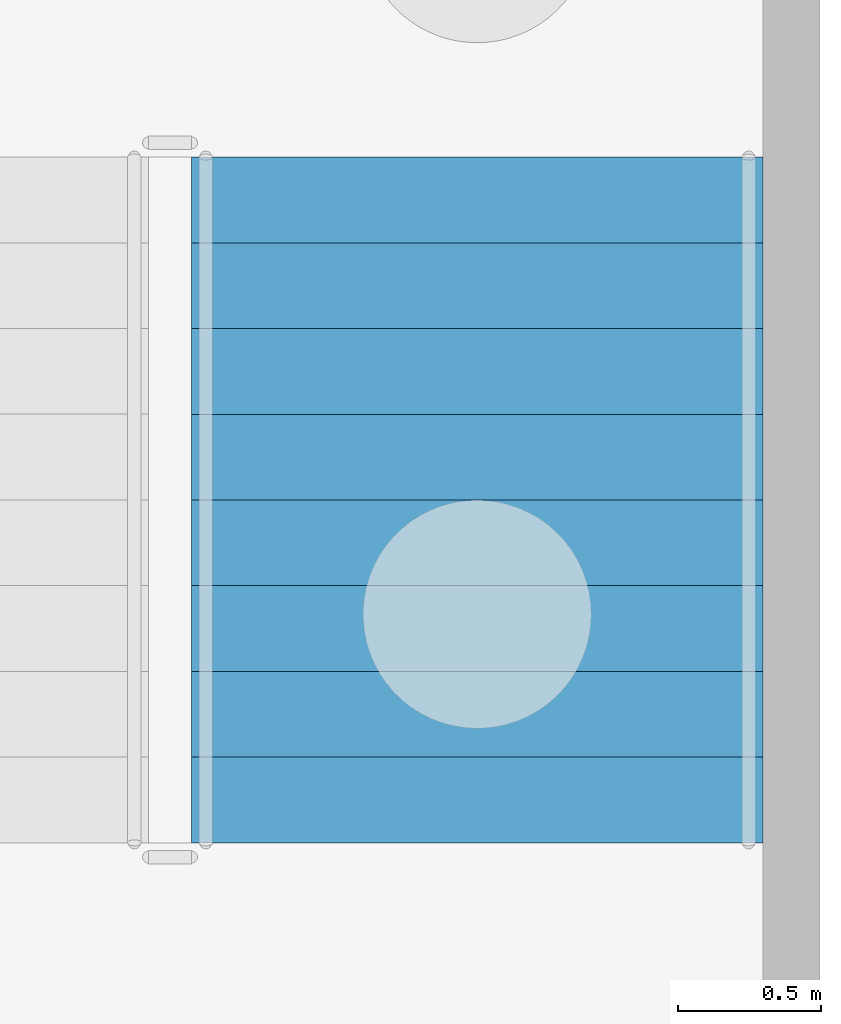
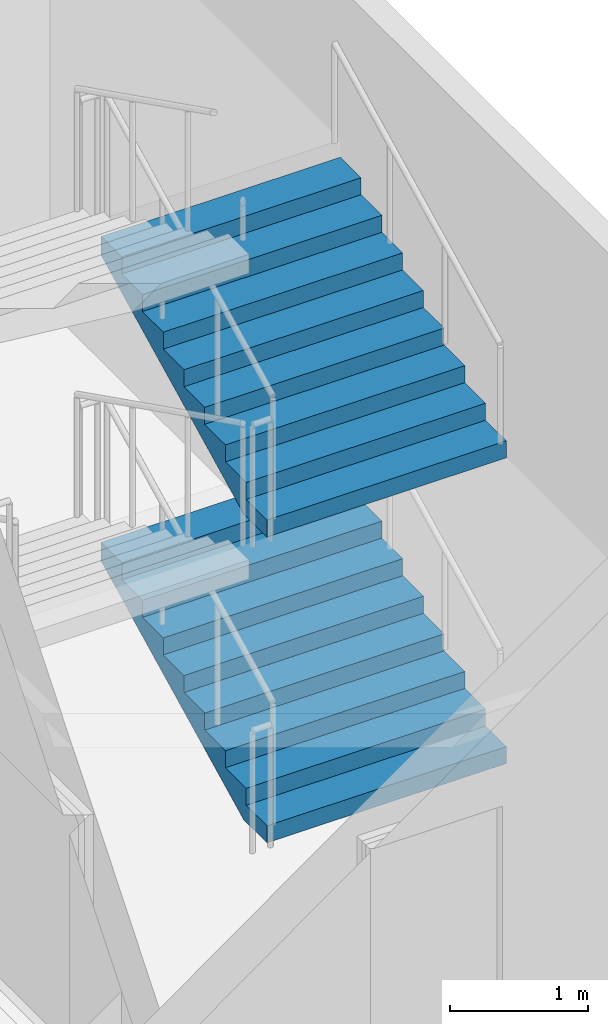
# One storey, part 99 of 129: 2 stair flights, 1 element without a shape of its own.
"""IFC4 building model written with IfcOpenShell, lengths in metres."""

from ifc_helpers import new_model, si_unit, direction, frame, origin, place, context, subcontext, project, spatial, faceted_brep, material, type_object, element, aggregate, save


model = new_model("IFC4")

# Units and contexts
model_context = context("Model", 3, precision=1e-05, world=origin(), true_north=direction((0.0, 1.0)))
body_context = subcontext(model_context, "Body", "Model", "MODEL_VIEW")
ifc_project = project(units=[si_unit("LENGTHUNIT", "METRE"), si_unit("AREAUNIT", "SQUARE_METRE"), si_unit("VOLUMEUNIT", "CUBIC_METRE"), si_unit("PLANEANGLEUNIT", "RADIAN"), si_unit("MASSUNIT", "GRAM", prefix="KILO")], contexts=[model_context])

# Site, building, storey
site_placement = place(None, origin())
site = spatial("IfcSite", under=ifc_project, at=site_placement, CompositionType="ELEMENT")
building_placement = place(site_placement, origin())
building = spatial("IfcBuilding", under=site, at=building_placement, Name="Kiln Court Media Centre", CompositionType="ELEMENT")
storey_placement = place(building_placement, origin())
storey = spatial("IfcBuildingStorey", under=building, at=storey_placement, Name="L00", CompositionType="ELEMENT", Elevation=0.0)

# Stair, stair flights
ifc_material_1 = material(Name="Concrete C40/50", Category="concrete")
stair_type = type_object("IfcStairType", Name="Concrete C40/50 dog-leg stair 2000 wide, 150 riser", PredefinedType="HALF_TURN_STAIR", material=ifc_material_1)
stair_placement = place(storey_placement, origin())
stair = element("IfcStair", 1, at=stair_placement, inside=storey, type_object=stair_type, Name="ST-14 L00", PredefinedType="HALF_TURN_STAIR")
ifc_material_2 = material(Name="Concrete C40/50", Category="concrete")
stair_flight_type = type_object("IfcStairFlightType", Name="Concrete C40/50 stair flight 2000 wide, 150 riser, 300 going", PredefinedType="STRAIGHT", material=ifc_material_2)
stair_flight_1_placement = place(storey_placement, frame((166.800048828125, 36.39990234375, 0.0), z_axis=(0.0, 0.0, 1.0), x_axis=(0.0, 1.0, 0.0)))
stair_flight_1 = element("IfcStairFlight", 2, at=stair_flight_1_placement, type_object=stair_flight_type, Name="L00-ST-5013 flight 5052", NumberOfRisers=9, NumberOfTreads=8, PredefinedType="STRAIGHT", RiserHeight=0.15, TreadLength=0.3, context=body_context, shape_type="Brep", body=[
    faceted_brep([(0.335205078125, -1.0, 0.0), (2.39990234375, -1.0, 1.032470703125), (2.39990234375, -1.0, 1.199951171875), (2.10009765625, -1.0, 1.199951171875), (2.10009765625, -1.0, 1.050048828125), (1.800048828125, -1.0, 1.050048828125), (1.800048828125, -1.0, 0.89990234375), (1.5, -1.0, 0.89990234375), (1.5, -1.0, 0.75), (1.199951171875, -1.0, 0.75), (1.199951171875, -1.0, 0.60009765625), (0.89990234375, -1.0, 0.60009765625), (0.89990234375, -1.0, 0.449951171875), (0.60009765625, -1.0, 0.449951171875), (0.60009765625, -1.0, 0.300048828125), (0.300048828125, -1.0, 0.300048828125), (0.300048828125, -1.0, 0.14990234375), (0.0, -1.0, 0.14990234375), (0.0, -1.0, 0.0), (0.0, 1.0, 0.0), (0.0, 1.0, 0.14990234375), (0.300048828125, 1.0, 0.14990234375), (0.300048828125, 1.0, 0.300048828125), (0.60009765625, 1.0, 0.300048828125), (0.60009765625, 1.0, 0.449951171875), (0.89990234375, 1.0, 0.449951171875), (0.89990234375, 1.0, 0.60009765625), (1.199951171875, 1.0, 0.60009765625), (1.199951171875, 1.0, 0.75), (1.5, 1.0, 0.75), (1.5, 1.0, 0.89990234375), (1.800048828125, 1.0, 0.89990234375), (1.800048828125, 1.0, 1.050048828125), (2.10009765625, 1.0, 1.050048828125), (2.10009765625, 1.0, 1.199951171875), (2.39990234375, 1.0, 1.199951171875), (2.39990234375, 1.0, 1.032470703125), (0.335205078125, 1.0, 0.0), (2.39990234375, 0.10009765625, 1.032470703125), (0.335205078125, 0.10009765625, 0.0), (2.39990234375, 0.080078125, 1.032470703125), (0.335205078125, 0.080078125, 0.0), (2.39990234375, 0.06005859375, 1.032470703125), (0.335205078125, 0.06005859375, 0.0), (2.39990234375, 0.0400390625, 1.032470703125), (0.335205078125, 0.0400390625, 0.0), (2.39990234375, 0.02001953125, 1.032470703125), (0.335205078125, 0.02001953125, 0.0), (2.39990234375, 0.0, 1.032470703125), (0.335205078125, 0.0, 0.0), (2.39990234375, -0.02001953125, 1.032470703125), (0.335205078125, -0.02001953125, 0.0), (2.39990234375, -0.0400390625, 1.032470703125), (0.335205078125, -0.0400390625, 0.0), (2.39990234375, -0.06005859375, 1.032470703125), (0.335205078125, -0.06005859375, 0.0), (2.39990234375, -0.080078125, 1.032470703125), (0.335205078125, -0.080078125, 0.0), (2.39990234375, -0.10009765625, 1.032470703125), (0.335205078125, -0.10009765625, 0.0), (2.39990234375, 0.10009765625, 1.199951171875), (2.39990234375, 0.080078125, 1.199951171875), (2.39990234375, 0.06005859375, 1.199951171875), (2.39990234375, 0.0400390625, 1.199951171875), (2.39990234375, 0.02001953125, 1.199951171875), (2.39990234375, 0.0, 1.199951171875), (2.39990234375, -0.02001953125, 1.199951171875), (2.39990234375, -0.0400390625, 1.199951171875), (2.39990234375, -0.06005859375, 1.199951171875), (2.39990234375, -0.080078125, 1.199951171875), (2.39990234375, -0.10009765625, 1.199951171875), (2.10009765625, 0.10009765625, 1.199951171875), (2.10009765625, 0.080078125, 1.199951171875), (2.10009765625, 0.06005859375, 1.199951171875), (2.10009765625, 0.0400390625, 1.199951171875), (2.10009765625, 0.02001953125, 1.199951171875), (2.10009765625, 0.0, 1.199951171875), (2.10009765625, -0.02001953125, 1.199951171875), (2.10009765625, -0.0400390625, 1.199951171875), (2.10009765625, -0.06005859375, 1.199951171875), (2.10009765625, -0.080078125, 1.199951171875), (2.10009765625, -0.10009765625, 1.199951171875), (2.10009765625, 0.10009765625, 1.050048828125), (2.10009765625, 0.080078125, 1.050048828125), (2.10009765625, 0.06005859375, 1.050048828125), (2.10009765625, 0.0400390625, 1.050048828125), (2.10009765625, 0.02001953125, 1.050048828125), (2.10009765625, 0.0, 1.050048828125), (2.10009765625, -0.02001953125, 1.050048828125), (2.10009765625, -0.0400390625, 1.050048828125), (2.10009765625, -0.06005859375, 1.050048828125), (2.10009765625, -0.080078125, 1.050048828125), (2.10009765625, -0.10009765625, 1.050048828125), (1.800048828125, 0.10009765625, 1.050048828125), (1.800048828125, 0.080078125, 1.050048828125), (1.800048828125, 0.06005859375, 1.050048828125), (1.800048828125, 0.0400390625, 1.050048828125), (1.800048828125, 0.02001953125, 1.050048828125), (1.800048828125, 0.0, 1.050048828125), (1.800048828125, -0.02001953125, 1.050048828125), (1.800048828125, -0.0400390625, 1.050048828125), (1.800048828125, -0.06005859375, 1.050048828125), (1.800048828125, -0.080078125, 1.050048828125), (1.800048828125, -0.10009765625, 1.050048828125), (1.800048828125, 0.10009765625, 0.89990234375), (1.800048828125, 0.080078125, 0.89990234375), (1.800048828125, 0.06005859375, 0.89990234375), (1.800048828125, 0.0400390625, 0.89990234375), (1.800048828125, 0.02001953125, 0.89990234375), (1.800048828125, 0.0, 0.89990234375), (1.800048828125, -0.02001953125, 0.89990234375), (1.800048828125, -0.0400390625, 0.89990234375), (1.800048828125, -0.06005859375, 0.89990234375), (1.800048828125, -0.080078125, 0.89990234375), (1.800048828125, -0.10009765625, 0.89990234375), (1.5, 0.10009765625, 0.89990234375), (1.5, 0.080078125, 0.89990234375), (1.5, 0.06005859375, 0.89990234375), (1.5, 0.0400390625, 0.89990234375), (1.5, 0.02001953125, 0.89990234375), (1.5, 0.0, 0.89990234375), (1.5, -0.02001953125, 0.89990234375), (1.5, -0.0400390625, 0.89990234375), (1.5, -0.06005859375, 0.89990234375), (1.5, -0.080078125, 0.89990234375), (1.5, -0.10009765625, 0.89990234375), (1.5, 0.10009765625, 0.75), (1.5, 0.080078125, 0.75), (1.5, 0.06005859375, 0.75), (1.5, 0.0400390625, 0.75), (1.5, 0.02001953125, 0.75), (1.5, 0.0, 0.75), (1.5, -0.02001953125, 0.75), (1.5, -0.0400390625, 0.75), (1.5, -0.06005859375, 0.75), (1.5, -0.080078125, 0.75), (1.5, -0.10009765625, 0.75), (1.199951171875, 0.10009765625, 0.75), (1.199951171875, 0.080078125, 0.75), (1.199951171875, 0.06005859375, 0.75), (1.199951171875, 0.0400390625, 0.75), (1.199951171875, 0.02001953125, 0.75), (1.199951171875, 0.0, 0.75), (1.199951171875, -0.02001953125, 0.75), (1.199951171875, -0.0400390625, 0.75), (1.199951171875, -0.06005859375, 0.75), (1.199951171875, -0.080078125, 0.75), (1.199951171875, -0.10009765625, 0.75), (1.199951171875, 0.10009765625, 0.60009765625), (1.199951171875, 0.080078125, 0.60009765625), (1.199951171875, 0.06005859375, 0.60009765625), (1.199951171875, 0.0400390625, 0.60009765625), (1.199951171875, 0.02001953125, 0.60009765625), (1.199951171875, 0.0, 0.60009765625), (1.199951171875, -0.02001953125, 0.60009765625), (1.199951171875, -0.0400390625, 0.60009765625), (1.199951171875, -0.06005859375, 0.60009765625), (1.199951171875, -0.080078125, 0.60009765625), (1.199951171875, -0.10009765625, 0.60009765625), (0.89990234375, 0.10009765625, 0.60009765625), (0.89990234375, 0.080078125, 0.60009765625), (0.89990234375, 0.06005859375, 0.60009765625), (0.89990234375, 0.0400390625, 0.60009765625), (0.89990234375, 0.02001953125, 0.60009765625), (0.89990234375, 0.0, 0.60009765625), (0.89990234375, -0.02001953125, 0.60009765625), (0.89990234375, -0.0400390625, 0.60009765625), (0.89990234375, -0.06005859375, 0.60009765625), (0.89990234375, -0.080078125, 0.60009765625), (0.89990234375, -0.10009765625, 0.60009765625), (0.89990234375, 0.10009765625, 0.449951171875), (0.89990234375, 0.080078125, 0.449951171875), (0.89990234375, 0.06005859375, 0.449951171875), (0.89990234375, 0.0400390625, 0.449951171875), (0.89990234375, 0.02001953125, 0.449951171875), (0.89990234375, 0.0, 0.449951171875), (0.89990234375, -0.02001953125, 0.449951171875), (0.89990234375, -0.0400390625, 0.449951171875), (0.89990234375, -0.06005859375, 0.449951171875), (0.89990234375, -0.080078125, 0.449951171875), (0.89990234375, -0.10009765625, 0.449951171875), (0.60009765625, 0.10009765625, 0.449951171875), (0.60009765625, 0.080078125, 0.449951171875), (0.60009765625, 0.06005859375, 0.449951171875), (0.60009765625, 0.0400390625, 0.449951171875), (0.60009765625, 0.02001953125, 0.449951171875), (0.60009765625, 0.0, 0.449951171875), (0.60009765625, -0.02001953125, 0.449951171875), (0.60009765625, -0.0400390625, 0.449951171875), (0.60009765625, -0.06005859375, 0.449951171875), (0.60009765625, -0.080078125, 0.449951171875), (0.60009765625, -0.10009765625, 0.449951171875), (0.60009765625, 0.10009765625, 0.300048828125), (0.60009765625, 0.080078125, 0.300048828125), (0.60009765625, 0.06005859375, 0.300048828125), (0.60009765625, 0.0400390625, 0.300048828125), (0.60009765625, 0.02001953125, 0.300048828125), (0.60009765625, 0.0, 0.300048828125), (0.60009765625, -0.02001953125, 0.300048828125), (0.60009765625, -0.0400390625, 0.300048828125), (0.60009765625, -0.06005859375, 0.300048828125), (0.60009765625, -0.080078125, 0.300048828125), (0.60009765625, -0.10009765625, 0.300048828125), (0.300048828125, 0.10009765625, 0.300048828125), (0.300048828125, 0.080078125, 0.300048828125), (0.300048828125, 0.06005859375, 0.300048828125), (0.300048828125, 0.0400390625, 0.300048828125), (0.300048828125, 0.02001953125, 0.300048828125), (0.300048828125, 0.0, 0.300048828125), (0.300048828125, -0.02001953125, 0.300048828125), (0.300048828125, -0.0400390625, 0.300048828125), (0.300048828125, -0.06005859375, 0.300048828125), (0.300048828125, -0.080078125, 0.300048828125), (0.300048828125, -0.10009765625, 0.300048828125), (0.300048828125, 0.10009765625, 0.14990234375), (0.300048828125, 0.080078125, 0.14990234375), (0.300048828125, 0.06005859375, 0.14990234375), (0.300048828125, 0.0400390625, 0.14990234375), (0.300048828125, 0.02001953125, 0.14990234375), (0.300048828125, 0.0, 0.14990234375), (0.300048828125, -0.02001953125, 0.14990234375), (0.300048828125, -0.0400390625, 0.14990234375), (0.300048828125, -0.06005859375, 0.14990234375), (0.300048828125, -0.080078125, 0.14990234375), (0.300048828125, -0.10009765625, 0.14990234375), (0.0, 0.10009765625, 0.14990234375), (0.0, 0.080078125, 0.14990234375), (0.0, 0.06005859375, 0.14990234375), (0.0, 0.0400390625, 0.14990234375), (0.0, 0.02001953125, 0.14990234375), (0.0, 0.0, 0.14990234375), (0.0, -0.02001953125, 0.14990234375), (0.0, -0.0400390625, 0.14990234375), (0.0, -0.06005859375, 0.14990234375), (0.0, -0.080078125, 0.14990234375), (0.0, -0.10009765625, 0.14990234375), (0.0, 0.10009765625, 0.0), (0.0, 0.080078125, 0.0), (0.0, 0.06005859375, 0.0), (0.0, 0.0400390625, 0.0), (0.0, 0.02001953125, 0.0), (0.0, 0.0, 0.0), (0.0, -0.02001953125, 0.0), (0.0, -0.0400390625, 0.0), (0.0, -0.06005859375, 0.0), (0.0, -0.080078125, 0.0), (0.0, -0.10009765625, 0.0)], [[[0, 1, 2, 3, 4, 5, 6, 7, 8, 9, 10, 11, 12, 13, 14, 15, 16, 17, 18]], [[19, 20, 21, 22, 23, 24, 25, 26, 27, 28, 29, 30, 31, 32, 33, 34, 35, 36, 37]], [[37, 36, 38, 39]], [[39, 38, 40, 41]], [[41, 40, 42, 43]], [[43, 42, 44, 45]], [[45, 44, 46, 47]], [[47, 46, 48, 49]], [[49, 48, 50, 51]], [[51, 50, 52, 53]], [[53, 52, 54, 55]], [[55, 54, 56, 57]], [[57, 56, 58, 59]], [[59, 58, 1, 0]], [[36, 35, 60, 38]], [[38, 60, 61, 40]], [[40, 61, 62, 42]], [[42, 62, 63, 44]], [[44, 63, 64, 46]], [[46, 64, 65, 48]], [[48, 65, 66, 50]], [[50, 66, 67, 52]], [[52, 67, 68, 54]], [[54, 68, 69, 56]], [[56, 69, 70, 58]], [[58, 70, 2, 1]], [[35, 34, 71, 60]], [[60, 71, 72, 61]], [[61, 72, 73, 62]], [[62, 73, 74, 63]], [[63, 74, 75, 64]], [[64, 75, 76, 65]], [[65, 76, 77, 66]], [[66, 77, 78, 67]], [[67, 78, 79, 68]], [[68, 79, 80, 69]], [[69, 80, 81, 70]], [[70, 81, 3, 2]], [[34, 33, 82, 71]], [[71, 82, 83, 72]], [[72, 83, 84, 73]], [[73, 84, 85, 74]], [[74, 85, 86, 75]], [[75, 86, 87, 76]], [[76, 87, 88, 77]], [[77, 88, 89, 78]], [[78, 89, 90, 79]], [[79, 90, 91, 80]], [[80, 91, 92, 81]], [[81, 92, 4, 3]], [[33, 32, 93, 82]], [[82, 93, 94, 83]], [[83, 94, 95, 84]], [[84, 95, 96, 85]], [[85, 96, 97, 86]], [[86, 97, 98, 87]], [[87, 98, 99, 88]], [[88, 99, 100, 89]], [[89, 100, 101, 90]], [[90, 101, 102, 91]], [[91, 102, 103, 92]], [[92, 103, 5, 4]], [[32, 31, 104, 93]], [[93, 104, 105, 94]], [[94, 105, 106, 95]], [[95, 106, 107, 96]], [[96, 107, 108, 97]], [[97, 108, 109, 98]], [[98, 109, 110, 99]], [[99, 110, 111, 100]], [[100, 111, 112, 101]], [[101, 112, 113, 102]], [[102, 113, 114, 103]], [[103, 114, 6, 5]], [[31, 30, 115, 104]], [[104, 115, 116, 105]], [[105, 116, 117, 106]], [[106, 117, 118, 107]], [[107, 118, 119, 108]], [[108, 119, 120, 109]], [[109, 120, 121, 110]], [[110, 121, 122, 111]], [[111, 122, 123, 112]], [[112, 123, 124, 113]], [[113, 124, 125, 114]], [[114, 125, 7, 6]], [[30, 29, 126, 115]], [[115, 126, 127, 116]], [[116, 127, 128, 117]], [[117, 128, 129, 118]], [[118, 129, 130, 119]], [[119, 130, 131, 120]], [[120, 131, 132, 121]], [[121, 132, 133, 122]], [[122, 133, 134, 123]], [[123, 134, 135, 124]], [[124, 135, 136, 125]], [[125, 136, 8, 7]], [[29, 28, 137, 126]], [[126, 137, 138, 127]], [[127, 138, 139, 128]], [[128, 139, 140, 129]], [[129, 140, 141, 130]], [[130, 141, 142, 131]], [[131, 142, 143, 132]], [[132, 143, 144, 133]], [[133, 144, 145, 134]], [[134, 145, 146, 135]], [[135, 146, 147, 136]], [[136, 147, 9, 8]], [[28, 27, 148, 137]], [[137, 148, 149, 138]], [[138, 149, 150, 139]], [[139, 150, 151, 140]], [[140, 151, 152, 141]], [[141, 152, 153, 142]], [[142, 153, 154, 143]], [[143, 154, 155, 144]], [[144, 155, 156, 145]], [[145, 156, 157, 146]], [[146, 157, 158, 147]], [[147, 158, 10, 9]], [[27, 26, 159, 148]], [[148, 159, 160, 149]], [[149, 160, 161, 150]], [[150, 161, 162, 151]], [[151, 162, 163, 152]], [[152, 163, 164, 153]], [[153, 164, 165, 154]], [[154, 165, 166, 155]], [[155, 166, 167, 156]], [[156, 167, 168, 157]], [[157, 168, 169, 158]], [[158, 169, 11, 10]], [[26, 25, 170, 159]], [[159, 170, 171, 160]], [[160, 171, 172, 161]], [[161, 172, 173, 162]], [[162, 173, 174, 163]], [[163, 174, 175, 164]], [[164, 175, 176, 165]], [[165, 176, 177, 166]], [[166, 177, 178, 167]], [[167, 178, 179, 168]], [[168, 179, 180, 169]], [[169, 180, 12, 11]], [[25, 24, 181, 170]], [[170, 181, 182, 171]], [[171, 182, 183, 172]], [[172, 183, 184, 173]], [[173, 184, 185, 174]], [[174, 185, 186, 175]], [[175, 186, 187, 176]], [[176, 187, 188, 177]], [[177, 188, 189, 178]], [[178, 189, 190, 179]], [[179, 190, 191, 180]], [[180, 191, 13, 12]], [[24, 23, 192, 181]], [[181, 192, 193, 182]], [[182, 193, 194, 183]], [[183, 194, 195, 184]], [[184, 195, 196, 185]], [[185, 196, 197, 186]], [[186, 197, 198, 187]], [[187, 198, 199, 188]], [[188, 199, 200, 189]], [[189, 200, 201, 190]], [[190, 201, 202, 191]], [[191, 202, 14, 13]], [[23, 22, 203, 192]], [[192, 203, 204, 193]], [[193, 204, 205, 194]], [[194, 205, 206, 195]], [[195, 206, 207, 196]], [[196, 207, 208, 197]], [[197, 208, 209, 198]], [[198, 209, 210, 199]], [[199, 210, 211, 200]], [[200, 211, 212, 201]], [[201, 212, 213, 202]], [[202, 213, 15, 14]], [[22, 21, 214, 203]], [[203, 214, 215, 204]], [[204, 215, 216, 205]], [[205, 216, 217, 206]], [[206, 217, 218, 207]], [[207, 218, 219, 208]], [[208, 219, 220, 209]], [[209, 220, 221, 210]], [[210, 221, 222, 211]], [[211, 222, 223, 212]], [[212, 223, 224, 213]], [[213, 224, 16, 15]], [[21, 20, 225, 214]], [[214, 225, 226, 215]], [[215, 226, 227, 216]], [[216, 227, 228, 217]], [[217, 228, 229, 218]], [[218, 229, 230, 219]], [[219, 230, 231, 220]], [[220, 231, 232, 221]], [[221, 232, 233, 222]], [[222, 233, 234, 223]], [[223, 234, 235, 224]], [[224, 235, 17, 16]], [[20, 19, 236, 225]], [[225, 236, 237, 226]], [[226, 237, 238, 227]], [[227, 238, 239, 228]], [[228, 239, 240, 229]], [[229, 240, 241, 230]], [[230, 241, 242, 231]], [[231, 242, 243, 232]], [[232, 243, 244, 233]], [[233, 244, 245, 234]], [[234, 245, 246, 235]], [[235, 246, 18, 17]], [[19, 37, 39, 236]], [[236, 39, 41, 237]], [[237, 41, 43, 238]], [[238, 43, 45, 239]], [[239, 45, 47, 240]], [[240, 47, 49, 241]], [[241, 49, 51, 242]], [[242, 51, 53, 243]], [[243, 53, 55, 244]], [[244, 55, 57, 245]], [[245, 57, 59, 246]], [[246, 59, 0, 18]]]),
])
stair_flight_2_placement = place(storey_placement, frame((166.800048828125, 36.39990234375, 2.699951171875), z_axis=(0.0, 0.0, 1.0), x_axis=(0.0, 1.0, 0.0)))
stair_flight_2 = element("IfcStairFlight", 3, at=stair_flight_2_placement, type_object=stair_flight_type, Name="L00-ST-5013 flight 5054", NumberOfRisers=9, NumberOfTreads=8, PredefinedType="STRAIGHT", RiserHeight=0.15, TreadLength=0.3, context=body_context, shape_type="Brep", body=[
    faceted_brep([(0.335205078125, -1.0, 0.0), (2.39990234375, -1.0, 1.032470703125), (2.39990234375, -1.0, 1.199951171875), (2.10009765625, -1.0, 1.199951171875), (2.10009765625, -1.0, 1.050048828125), (1.800048828125, -1.0, 1.050048828125), (1.800048828125, -1.0, 0.89990234375), (1.5, -1.0, 0.89990234375), (1.5, -1.0, 0.75), (1.199951171875, -1.0, 0.75), (1.199951171875, -1.0, 0.60009765625), (0.89990234375, -1.0, 0.60009765625), (0.89990234375, -1.0, 0.449951171875), (0.60009765625, -1.0, 0.449951171875), (0.60009765625, -1.0, 0.300048828125), (0.300048828125, -1.0, 0.300048828125), (0.300048828125, -1.0, 0.14990234375), (0.0, -1.0, 0.14990234375), (0.0, -1.0, 0.0), (0.0, 1.0, 0.0), (0.0, 1.0, 0.14990234375), (0.300048828125, 1.0, 0.14990234375), (0.300048828125, 1.0, 0.300048828125), (0.60009765625, 1.0, 0.300048828125), (0.60009765625, 1.0, 0.449951171875), (0.89990234375, 1.0, 0.449951171875), (0.89990234375, 1.0, 0.60009765625), (1.199951171875, 1.0, 0.60009765625), (1.199951171875, 1.0, 0.75), (1.5, 1.0, 0.75), (1.5, 1.0, 0.89990234375), (1.800048828125, 1.0, 0.89990234375), (1.800048828125, 1.0, 1.050048828125), (2.10009765625, 1.0, 1.050048828125), (2.10009765625, 1.0, 1.199951171875), (2.39990234375, 1.0, 1.199951171875), (2.39990234375, 1.0, 1.032470703125), (0.335205078125, 1.0, 0.0), (2.39990234375, 0.10009765625, 1.032470703125), (0.335205078125, 0.10009765625, 0.0), (2.39990234375, 0.080078125, 1.032470703125), (0.335205078125, 0.080078125, 0.0), (2.39990234375, 0.06005859375, 1.032470703125), (0.335205078125, 0.06005859375, 0.0), (2.39990234375, 0.0400390625, 1.032470703125), (0.335205078125, 0.0400390625, 0.0), (2.39990234375, 0.02001953125, 1.032470703125), (0.335205078125, 0.02001953125, 0.0), (2.39990234375, 0.0, 1.032470703125), (0.335205078125, 0.0, 0.0), (2.39990234375, -0.02001953125, 1.032470703125), (0.335205078125, -0.02001953125, 0.0), (2.39990234375, -0.0400390625, 1.032470703125), (0.335205078125, -0.0400390625, 0.0), (2.39990234375, -0.06005859375, 1.032470703125), (0.335205078125, -0.06005859375, 0.0), (2.39990234375, -0.080078125, 1.032470703125), (0.335205078125, -0.080078125, 0.0), (2.39990234375, -0.10009765625, 1.032470703125), (0.335205078125, -0.10009765625, 0.0), (2.39990234375, 0.10009765625, 1.199951171875), (2.39990234375, 0.080078125, 1.199951171875), (2.39990234375, 0.06005859375, 1.199951171875), (2.39990234375, 0.0400390625, 1.199951171875), (2.39990234375, 0.02001953125, 1.199951171875), (2.39990234375, 0.0, 1.199951171875), (2.39990234375, -0.02001953125, 1.199951171875), (2.39990234375, -0.0400390625, 1.199951171875), (2.39990234375, -0.06005859375, 1.199951171875), (2.39990234375, -0.080078125, 1.199951171875), (2.39990234375, -0.10009765625, 1.199951171875), (2.10009765625, 0.10009765625, 1.199951171875), (2.10009765625, 0.080078125, 1.199951171875), (2.10009765625, 0.06005859375, 1.199951171875), (2.10009765625, 0.0400390625, 1.199951171875), (2.10009765625, 0.02001953125, 1.199951171875), (2.10009765625, 0.0, 1.199951171875), (2.10009765625, -0.02001953125, 1.199951171875), (2.10009765625, -0.0400390625, 1.199951171875), (2.10009765625, -0.06005859375, 1.199951171875), (2.10009765625, -0.080078125, 1.199951171875), (2.10009765625, -0.10009765625, 1.199951171875), (2.10009765625, 0.10009765625, 1.050048828125), (2.10009765625, 0.080078125, 1.050048828125), (2.10009765625, 0.06005859375, 1.050048828125), (2.10009765625, 0.0400390625, 1.050048828125), (2.10009765625, 0.02001953125, 1.050048828125), (2.10009765625, 0.0, 1.050048828125), (2.10009765625, -0.02001953125, 1.050048828125), (2.10009765625, -0.0400390625, 1.050048828125), (2.10009765625, -0.06005859375, 1.050048828125), (2.10009765625, -0.080078125, 1.050048828125), (2.10009765625, -0.10009765625, 1.050048828125), (1.800048828125, 0.10009765625, 1.050048828125), (1.800048828125, 0.080078125, 1.050048828125), (1.800048828125, 0.06005859375, 1.050048828125), (1.800048828125, 0.0400390625, 1.050048828125), (1.800048828125, 0.02001953125, 1.050048828125), (1.800048828125, 0.0, 1.050048828125), (1.800048828125, -0.02001953125, 1.050048828125), (1.800048828125, -0.0400390625, 1.050048828125), (1.800048828125, -0.06005859375, 1.050048828125), (1.800048828125, -0.080078125, 1.050048828125), (1.800048828125, -0.10009765625, 1.050048828125), (1.800048828125, 0.10009765625, 0.89990234375), (1.800048828125, 0.080078125, 0.89990234375), (1.800048828125, 0.06005859375, 0.89990234375), (1.800048828125, 0.0400390625, 0.89990234375), (1.800048828125, 0.02001953125, 0.89990234375), (1.800048828125, 0.0, 0.89990234375), (1.800048828125, -0.02001953125, 0.89990234375), (1.800048828125, -0.0400390625, 0.89990234375), (1.800048828125, -0.06005859375, 0.89990234375), (1.800048828125, -0.080078125, 0.89990234375), (1.800048828125, -0.10009765625, 0.89990234375), (1.5, 0.10009765625, 0.89990234375), (1.5, 0.080078125, 0.89990234375), (1.5, 0.06005859375, 0.89990234375), (1.5, 0.0400390625, 0.89990234375), (1.5, 0.02001953125, 0.89990234375), (1.5, 0.0, 0.89990234375), (1.5, -0.02001953125, 0.89990234375), (1.5, -0.0400390625, 0.89990234375), (1.5, -0.06005859375, 0.89990234375), (1.5, -0.080078125, 0.89990234375), (1.5, -0.10009765625, 0.89990234375), (1.5, 0.10009765625, 0.75), (1.5, 0.080078125, 0.75), (1.5, 0.06005859375, 0.75), (1.5, 0.0400390625, 0.75), (1.5, 0.02001953125, 0.75), (1.5, 0.0, 0.75), (1.5, -0.02001953125, 0.75), (1.5, -0.0400390625, 0.75), (1.5, -0.06005859375, 0.75), (1.5, -0.080078125, 0.75), (1.5, -0.10009765625, 0.75), (1.199951171875, 0.10009765625, 0.75), (1.199951171875, 0.080078125, 0.75), (1.199951171875, 0.06005859375, 0.75), (1.199951171875, 0.0400390625, 0.75), (1.199951171875, 0.02001953125, 0.75), (1.199951171875, 0.0, 0.75), (1.199951171875, -0.02001953125, 0.75), (1.199951171875, -0.0400390625, 0.75), (1.199951171875, -0.06005859375, 0.75), (1.199951171875, -0.080078125, 0.75), (1.199951171875, -0.10009765625, 0.75), (1.199951171875, 0.10009765625, 0.60009765625), (1.199951171875, 0.080078125, 0.60009765625), (1.199951171875, 0.06005859375, 0.60009765625), (1.199951171875, 0.0400390625, 0.60009765625), (1.199951171875, 0.02001953125, 0.60009765625), (1.199951171875, 0.0, 0.60009765625), (1.199951171875, -0.02001953125, 0.60009765625), (1.199951171875, -0.0400390625, 0.60009765625), (1.199951171875, -0.06005859375, 0.60009765625), (1.199951171875, -0.080078125, 0.60009765625), (1.199951171875, -0.10009765625, 0.60009765625), (0.89990234375, 0.10009765625, 0.60009765625), (0.89990234375, 0.080078125, 0.60009765625), (0.89990234375, 0.06005859375, 0.60009765625), (0.89990234375, 0.0400390625, 0.60009765625), (0.89990234375, 0.02001953125, 0.60009765625), (0.89990234375, 0.0, 0.60009765625), (0.89990234375, -0.02001953125, 0.60009765625), (0.89990234375, -0.0400390625, 0.60009765625), (0.89990234375, -0.06005859375, 0.60009765625), (0.89990234375, -0.080078125, 0.60009765625), (0.89990234375, -0.10009765625, 0.60009765625), (0.89990234375, 0.10009765625, 0.449951171875), (0.89990234375, 0.080078125, 0.449951171875), (0.89990234375, 0.06005859375, 0.449951171875), (0.89990234375, 0.0400390625, 0.449951171875), (0.89990234375, 0.02001953125, 0.449951171875), (0.89990234375, 0.0, 0.449951171875), (0.89990234375, -0.02001953125, 0.449951171875), (0.89990234375, -0.0400390625, 0.449951171875), (0.89990234375, -0.06005859375, 0.449951171875), (0.89990234375, -0.080078125, 0.449951171875), (0.89990234375, -0.10009765625, 0.449951171875), (0.60009765625, 0.10009765625, 0.449951171875), (0.60009765625, 0.080078125, 0.449951171875), (0.60009765625, 0.06005859375, 0.449951171875), (0.60009765625, 0.0400390625, 0.449951171875), (0.60009765625, 0.02001953125, 0.449951171875), (0.60009765625, 0.0, 0.449951171875), (0.60009765625, -0.02001953125, 0.449951171875), (0.60009765625, -0.0400390625, 0.449951171875), (0.60009765625, -0.06005859375, 0.449951171875), (0.60009765625, -0.080078125, 0.449951171875), (0.60009765625, -0.10009765625, 0.449951171875), (0.60009765625, 0.10009765625, 0.300048828125), (0.60009765625, 0.080078125, 0.300048828125), (0.60009765625, 0.06005859375, 0.300048828125), (0.60009765625, 0.0400390625, 0.300048828125), (0.60009765625, 0.02001953125, 0.300048828125), (0.60009765625, 0.0, 0.300048828125), (0.60009765625, -0.02001953125, 0.300048828125), (0.60009765625, -0.0400390625, 0.300048828125), (0.60009765625, -0.06005859375, 0.300048828125), (0.60009765625, -0.080078125, 0.300048828125), (0.60009765625, -0.10009765625, 0.300048828125), (0.300048828125, 0.10009765625, 0.300048828125), (0.300048828125, 0.080078125, 0.300048828125), (0.300048828125, 0.06005859375, 0.300048828125), (0.300048828125, 0.0400390625, 0.300048828125), (0.300048828125, 0.02001953125, 0.300048828125), (0.300048828125, 0.0, 0.300048828125), (0.300048828125, -0.02001953125, 0.300048828125), (0.300048828125, -0.0400390625, 0.300048828125), (0.300048828125, -0.06005859375, 0.300048828125), (0.300048828125, -0.080078125, 0.300048828125), (0.300048828125, -0.10009765625, 0.300048828125), (0.300048828125, 0.10009765625, 0.14990234375), (0.300048828125, 0.080078125, 0.14990234375), (0.300048828125, 0.06005859375, 0.14990234375), (0.300048828125, 0.0400390625, 0.14990234375), (0.300048828125, 0.02001953125, 0.14990234375), (0.300048828125, 0.0, 0.14990234375), (0.300048828125, -0.02001953125, 0.14990234375), (0.300048828125, -0.0400390625, 0.14990234375), (0.300048828125, -0.06005859375, 0.14990234375), (0.300048828125, -0.080078125, 0.14990234375), (0.300048828125, -0.10009765625, 0.14990234375), (0.0, 0.10009765625, 0.14990234375), (0.0, 0.080078125, 0.14990234375), (0.0, 0.06005859375, 0.14990234375), (0.0, 0.0400390625, 0.14990234375), (0.0, 0.02001953125, 0.14990234375), (0.0, 0.0, 0.14990234375), (0.0, -0.02001953125, 0.14990234375), (0.0, -0.0400390625, 0.14990234375), (0.0, -0.06005859375, 0.14990234375), (0.0, -0.080078125, 0.14990234375), (0.0, -0.10009765625, 0.14990234375), (0.0, 0.10009765625, 0.0), (0.0, 0.080078125, 0.0), (0.0, 0.06005859375, 0.0), (0.0, 0.0400390625, 0.0), (0.0, 0.02001953125, 0.0), (0.0, 0.0, 0.0), (0.0, -0.02001953125, 0.0), (0.0, -0.0400390625, 0.0), (0.0, -0.06005859375, 0.0), (0.0, -0.080078125, 0.0), (0.0, -0.10009765625, 0.0)], [[[0, 1, 2, 3, 4, 5, 6, 7, 8, 9, 10, 11, 12, 13, 14, 15, 16, 17, 18]], [[19, 20, 21, 22, 23, 24, 25, 26, 27, 28, 29, 30, 31, 32, 33, 34, 35, 36, 37]], [[37, 36, 38, 39]], [[39, 38, 40, 41]], [[41, 40, 42, 43]], [[43, 42, 44, 45]], [[45, 44, 46, 47]], [[47, 46, 48, 49]], [[49, 48, 50, 51]], [[51, 50, 52, 53]], [[53, 52, 54, 55]], [[55, 54, 56, 57]], [[57, 56, 58, 59]], [[59, 58, 1, 0]], [[36, 35, 60, 38]], [[38, 60, 61, 40]], [[40, 61, 62, 42]], [[42, 62, 63, 44]], [[44, 63, 64, 46]], [[46, 64, 65, 48]], [[48, 65, 66, 50]], [[50, 66, 67, 52]], [[52, 67, 68, 54]], [[54, 68, 69, 56]], [[56, 69, 70, 58]], [[58, 70, 2, 1]], [[35, 34, 71, 60]], [[60, 71, 72, 61]], [[61, 72, 73, 62]], [[62, 73, 74, 63]], [[63, 74, 75, 64]], [[64, 75, 76, 65]], [[65, 76, 77, 66]], [[66, 77, 78, 67]], [[67, 78, 79, 68]], [[68, 79, 80, 69]], [[69, 80, 81, 70]], [[70, 81, 3, 2]], [[34, 33, 82, 71]], [[71, 82, 83, 72]], [[72, 83, 84, 73]], [[73, 84, 85, 74]], [[74, 85, 86, 75]], [[75, 86, 87, 76]], [[76, 87, 88, 77]], [[77, 88, 89, 78]], [[78, 89, 90, 79]], [[79, 90, 91, 80]], [[80, 91, 92, 81]], [[81, 92, 4, 3]], [[33, 32, 93, 82]], [[82, 93, 94, 83]], [[83, 94, 95, 84]], [[84, 95, 96, 85]], [[85, 96, 97, 86]], [[86, 97, 98, 87]], [[87, 98, 99, 88]], [[88, 99, 100, 89]], [[89, 100, 101, 90]], [[90, 101, 102, 91]], [[91, 102, 103, 92]], [[92, 103, 5, 4]], [[32, 31, 104, 93]], [[93, 104, 105, 94]], [[94, 105, 106, 95]], [[95, 106, 107, 96]], [[96, 107, 108, 97]], [[97, 108, 109, 98]], [[98, 109, 110, 99]], [[99, 110, 111, 100]], [[100, 111, 112, 101]], [[101, 112, 113, 102]], [[102, 113, 114, 103]], [[103, 114, 6, 5]], [[31, 30, 115, 104]], [[104, 115, 116, 105]], [[105, 116, 117, 106]], [[106, 117, 118, 107]], [[107, 118, 119, 108]], [[108, 119, 120, 109]], [[109, 120, 121, 110]], [[110, 121, 122, 111]], [[111, 122, 123, 112]], [[112, 123, 124, 113]], [[113, 124, 125, 114]], [[114, 125, 7, 6]], [[30, 29, 126, 115]], [[115, 126, 127, 116]], [[116, 127, 128, 117]], [[117, 128, 129, 118]], [[118, 129, 130, 119]], [[119, 130, 131, 120]], [[120, 131, 132, 121]], [[121, 132, 133, 122]], [[122, 133, 134, 123]], [[123, 134, 135, 124]], [[124, 135, 136, 125]], [[125, 136, 8, 7]], [[29, 28, 137, 126]], [[126, 137, 138, 127]], [[127, 138, 139, 128]], [[128, 139, 140, 129]], [[129, 140, 141, 130]], [[130, 141, 142, 131]], [[131, 142, 143, 132]], [[132, 143, 144, 133]], [[133, 144, 145, 134]], [[134, 145, 146, 135]], [[135, 146, 147, 136]], [[136, 147, 9, 8]], [[28, 27, 148, 137]], [[137, 148, 149, 138]], [[138, 149, 150, 139]], [[139, 150, 151, 140]], [[140, 151, 152, 141]], [[141, 152, 153, 142]], [[142, 153, 154, 143]], [[143, 154, 155, 144]], [[144, 155, 156, 145]], [[145, 156, 157, 146]], [[146, 157, 158, 147]], [[147, 158, 10, 9]], [[27, 26, 159, 148]], [[148, 159, 160, 149]], [[149, 160, 161, 150]], [[150, 161, 162, 151]], [[151, 162, 163, 152]], [[152, 163, 164, 153]], [[153, 164, 165, 154]], [[154, 165, 166, 155]], [[155, 166, 167, 156]], [[156, 167, 168, 157]], [[157, 168, 169, 158]], [[158, 169, 11, 10]], [[26, 25, 170, 159]], [[159, 170, 171, 160]], [[160, 171, 172, 161]], [[161, 172, 173, 162]], [[162, 173, 174, 163]], [[163, 174, 175, 164]], [[164, 175, 176, 165]], [[165, 176, 177, 166]], [[166, 177, 178, 167]], [[167, 178, 179, 168]], [[168, 179, 180, 169]], [[169, 180, 12, 11]], [[25, 24, 181, 170]], [[170, 181, 182, 171]], [[171, 182, 183, 172]], [[172, 183, 184, 173]], [[173, 184, 185, 174]], [[174, 185, 186, 175]], [[175, 186, 187, 176]], [[176, 187, 188, 177]], [[177, 188, 189, 178]], [[178, 189, 190, 179]], [[179, 190, 191, 180]], [[180, 191, 13, 12]], [[24, 23, 192, 181]], [[181, 192, 193, 182]], [[182, 193, 194, 183]], [[183, 194, 195, 184]], [[184, 195, 196, 185]], [[185, 196, 197, 186]], [[186, 197, 198, 187]], [[187, 198, 199, 188]], [[188, 199, 200, 189]], [[189, 200, 201, 190]], [[190, 201, 202, 191]], [[191, 202, 14, 13]], [[23, 22, 203, 192]], [[192, 203, 204, 193]], [[193, 204, 205, 194]], [[194, 205, 206, 195]], [[195, 206, 207, 196]], [[196, 207, 208, 197]], [[197, 208, 209, 198]], [[198, 209, 210, 199]], [[199, 210, 211, 200]], [[200, 211, 212, 201]], [[201, 212, 213, 202]], [[202, 213, 15, 14]], [[22, 21, 214, 203]], [[203, 214, 215, 204]], [[204, 215, 216, 205]], [[205, 216, 217, 206]], [[206, 217, 218, 207]], [[207, 218, 219, 208]], [[208, 219, 220, 209]], [[209, 220, 221, 210]], [[210, 221, 222, 211]], [[211, 222, 223, 212]], [[212, 223, 224, 213]], [[213, 224, 16, 15]], [[21, 20, 225, 214]], [[214, 225, 226, 215]], [[215, 226, 227, 216]], [[216, 227, 228, 217]], [[217, 228, 229, 218]], [[218, 229, 230, 219]], [[219, 230, 231, 220]], [[220, 231, 232, 221]], [[221, 232, 233, 222]], [[222, 233, 234, 223]], [[223, 234, 235, 224]], [[224, 235, 17, 16]], [[20, 19, 236, 225]], [[225, 236, 237, 226]], [[226, 237, 238, 227]], [[227, 238, 239, 228]], [[228, 239, 240, 229]], [[229, 240, 241, 230]], [[230, 241, 242, 231]], [[231, 242, 243, 232]], [[232, 243, 244, 233]], [[233, 244, 245, 234]], [[234, 245, 246, 235]], [[235, 246, 18, 17]], [[19, 37, 39, 236]], [[236, 39, 41, 237]], [[237, 41, 43, 238]], [[238, 43, 45, 239]], [[239, 45, 47, 240]], [[240, 47, 49, 241]], [[241, 49, 51, 242]], [[242, 51, 53, 243]], [[243, 53, 55, 244]], [[244, 55, 57, 245]], [[245, 57, 59, 246]], [[246, 59, 0, 18]]]),
])
aggregate(stair, [stair_flight_1, stair_flight_2])

save(model, "model.ifc")
